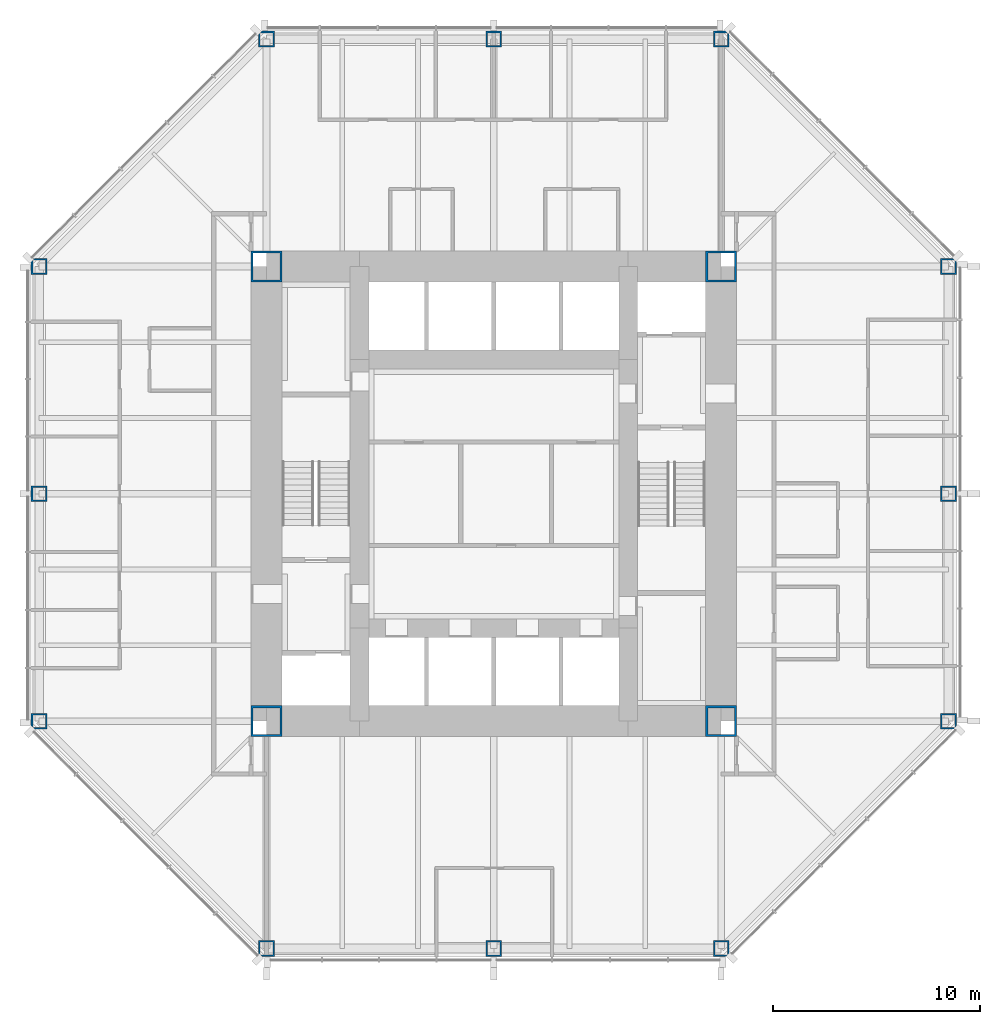
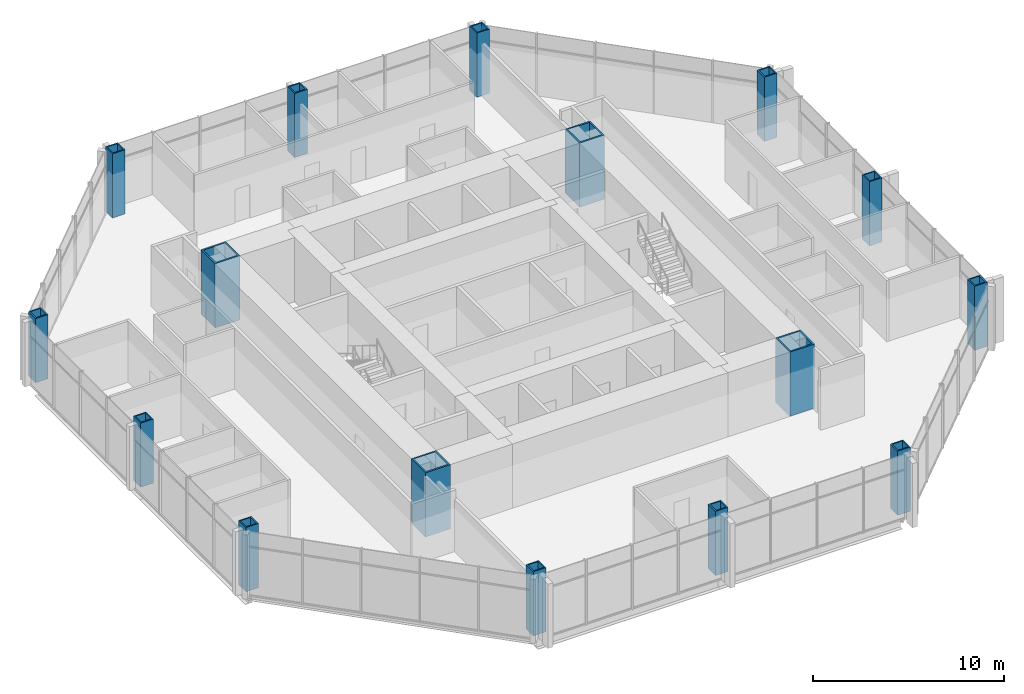
# One storey, part 1 of 12: 16 columns.
"""IFC4 building model written with IfcOpenShell, lengths in metres."""

import ifcopenshell
import ifcopenshell.guid

model = None  # the IFC model being written
_history = None  # IfcOwnerHistory: only IFC2X3 demands one
_inside = {}  # id of a spatial element -> (the spatial element, [elements in it])
_under = {}  # id of a project, library or spatial element -> (it, [spatial elements below it])
_declared = {}  # id of a project -> (the project, [libraries it declares])
_typed = {}  # id of a type object -> (the type object, [elements of that type])
_made_of = {}  # id of a material, layer set ... -> (it, [elements and type objects made of it])


def new_model(schema):
    """Start an empty IFC model of exactly this schema.

    Asked for "IFC4X3", IfcOpenShell would pick the latest addendum, in which some entities
    have other attributes; the version numbers below select the first issue.
    IFC2X3 requires an IfcOwnerHistory on every rooted entity: one is made here for all.
    """
    global model, _history
    if schema == "IFC4X3":
        model = ifcopenshell.file(schema_version=(4, 3, 0, 0))
    else:
        model = ifcopenshell.file(schema=schema)
    _inside.clear()
    _under.clear()
    _declared.clear()
    _typed.clear()
    _made_of.clear()
    _history = None
    if model.schema == "IFC2X3":
        org = make("IfcOrganization", Name="unknown")
        user = make(
            "IfcPersonAndOrganization",
            ThePerson=make("IfcPerson", FamilyName="unknown"),
            TheOrganization=org,
        )
        app = make(
            "IfcApplication",
            ApplicationDeveloper=org,
            Version="unknown",
            ApplicationFullName="unknown",
            ApplicationIdentifier="unknown",
        )
        _history = make(
            "IfcOwnerHistory",
            OwningUser=user,
            OwningApplication=app,
            ChangeAction="ADDED",
            CreationDate=0,
        )
    return model


def make(cls, **values):
    """One entity of the class cls with the attributes given. An attribute that is None is left unset."""
    return model.create_entity(
        cls, **{name: value for name, value in values.items() if value is not None}
    )


def rooted(cls, **values):
    """An entity with a GlobalId (a new one), such as an element, a storey or a relation."""
    return make(cls, GlobalId=ifcopenshell.guid.new(), OwnerHistory=_history, **values)


def si_unit(unit_type, name, prefix=None):
    """IfcSIUnit, for example si_unit("LENGTHUNIT", "METRE", prefix="MILLI")."""
    return make("IfcSIUnit", UnitType=unit_type, Prefix=prefix, Name=name)


def assignment(units):
    """IfcUnitAssignment: the units of a project."""
    return None if units is None else make("IfcUnitAssignment", Units=units)


def point(xyz):
    """IfcCartesianPoint."""
    return None if xyz is None else make("IfcCartesianPoint", Coordinates=xyz)


def direction(xyz):
    """IfcDirection."""
    return None if xyz is None else make("IfcDirection", DirectionRatios=xyz)


def frame(location, z_axis=None, x_axis=None):
    """IfcAxis2Placement3D, a coordinate frame: its origin and axes. An axis left out is left unset."""
    return make(
        "IfcAxis2Placement3D",
        Location=point(location),
        Axis=direction(z_axis),
        RefDirection=direction(x_axis),
    )


def frame_2d(location, x_axis=None):
    """IfcAxis2Placement2D, a coordinate frame in the plane: its origin and x axis."""
    return make(
        "IfcAxis2Placement2D", Location=point(location), RefDirection=direction(x_axis)
    )


def origin():
    """The frame at (0, 0, 0) with its axes left unset."""
    return frame((0.0, 0.0, 0.0))


def origin_2d():
    """The frame at (0, 0) in the plane with its x axis left unset."""
    return frame_2d((0.0, 0.0))


def place(relative_to, where):
    """IfcLocalPlacement: puts the frame where relative to a parent placement (None: the world)."""
    return make(
        "IfcLocalPlacement", PlacementRelTo=relative_to, RelativePlacement=where
    )


def context(
    kind, dimensions, precision=None, world=None, true_north=None, identifier=None
):
    """IfcGeometricRepresentationContext, for example the 3D "Model" context."""
    return make(
        "IfcGeometricRepresentationContext",
        ContextIdentifier=identifier,
        ContextType=kind,
        CoordinateSpaceDimension=dimensions,
        Precision=precision,
        WorldCoordinateSystem=world,
        TrueNorth=true_north,
    )


def subcontext(parent, identifier, kind, view, scale=None):
    """IfcGeometricRepresentationSubContext, for example "Body" below "Model"."""
    return make(
        "IfcGeometricRepresentationSubContext",
        ContextIdentifier=identifier,
        ContextType=kind,
        ParentContext=parent,
        TargetScale=scale,
        TargetView=view,
    )


def project(units=None, contexts=None):
    """IfcProject with its units and contexts."""
    return rooted(
        "IfcProject",
        Name="project",
        RepresentationContexts=contexts,
        UnitsInContext=assignment(units),
    )


def spatial(cls, under=None, at=None, **own):
    """A site, building, storey or space (cls), placed at a placement, below another one or the project."""
    s = rooted(cls, ObjectPlacement=at, **own)
    if under is not None:
        _under.setdefault(under.id(), (under, []))[1].append(s)
    return s


def profile(cls, at=None, kind="AREA", **sizes):
    """A parametric profile (cls). Its sizes go by their IFC names, for example OverallWidth=200.0."""
    return make(cls, ProfileType=kind, Position=at, **sizes)


def hollow_rectangle(**sizes):
    """IfcRectangleHollowProfileDef."""
    return profile("IfcRectangleHollowProfileDef", **sizes)


def extrude(swept, where, along, depth):
    """IfcExtrudedAreaSolid: the profile swept, set in the frame where, extruded along a direction by depth."""
    return make(
        "IfcExtrudedAreaSolid",
        SweptArea=swept,
        Position=where,
        ExtrudedDirection=direction(along),
        Depth=depth,
    )


def shape(context_of_items, identifier, shape_type, items):
    """IfcShapeRepresentation: the items that make up one representation, for example the "Body"."""
    return make(
        "IfcShapeRepresentation",
        ContextOfItems=context_of_items,
        RepresentationIdentifier=identifier,
        RepresentationType=shape_type,
        Items=items,
    )


def material(Name=None, Category=None):
    """IfcMaterial."""
    return make("IfcMaterial", Name=Name, Category=Category)


def material_profile(
    of_material, cross_section, Name=None, Category=None, Priority=None
):
    """IfcMaterialProfile: a cross section and its material."""
    return make(
        "IfcMaterialProfile",
        Name=Name,
        Material=of_material,
        Profile=cross_section,
        Priority=Priority,
        Category=Category,
    )


def profile_set(profiles, Name=None, composite=None):
    """IfcMaterialProfileSet."""
    return make(
        "IfcMaterialProfileSet",
        Name=Name,
        MaterialProfiles=profiles,
        CompositeProfile=composite,
    )


def made_of(thing, what):
    """Note that an element or type object is made of a material, layer set ...; save() writes the relation."""
    if what is not None:
        _made_of.setdefault(what.id(), (what, []))[1].append(thing)
    return thing


def type_object(cls, material=None, **own):
    """A type object (cls), such as IfcWallType, which elements share."""
    return made_of(rooted(cls, **own), material)


def element(
    cls,
    number,
    at=None,
    inside=None,
    cuts=None,
    type_object=None,
    material=None,
    context=None,
    identifier="Body",
    shape_type=None,
    held_by="IfcProductDefinitionShape",
    body=None,
    shapes=None,
    **own,
):
    """One element of the class cls, such as IfcWall. Its Tag is "e" and its number.

    at: its placement. inside: the storey or other place that contains it. cuts: it is an
    opening in that element (IfcRelVoidsElement). A single representation is given by context,
    identifier, shape_type and body (its items); several are given by shapes. held_by: the class
    of the entity that holds the representations. save() writes the other relations.
    """
    e = rooted(cls, Tag="e%d" % number, ObjectPlacement=at, **own)
    if body is not None:
        shapes = [shape(context, identifier, shape_type, body)]
    if shapes is not None:
        e.Representation = make(held_by, Representations=shapes)
    if inside is not None:
        _inside.setdefault(inside.id(), (inside, []))[1].append(e)
    if cuts is not None:
        rooted(
            "IfcRelVoidsElement", RelatingBuildingElement=cuts, RelatedOpeningElement=e
        )
    if type_object is not None:
        _typed.setdefault(type_object.id(), (type_object, []))[1].append(e)
    return made_of(e, material)


def aggregate(whole, parts):
    """IfcRelAggregates: a whole, such as a stair, and the parts it consists of."""
    return rooted("IfcRelAggregates", RelatingObject=whole, RelatedObjects=parts)


def save(model, path):
    """Write the relations noted so far, then the file.

    IfcRelAggregates (storeys below a building ...), IfcRelContainedInSpatialStructure (elements
    in a storey), IfcRelDefinesByType, IfcRelAssociatesMaterial and IfcRelDeclares: one each for
    every whole, place, type object, material and project.
    """
    for whole, parts in _under.values():
        aggregate(whole, parts)
    for where, things in _inside.values():
        rooted(
            "IfcRelContainedInSpatialStructure",
            RelatedElements=things,
            RelatingStructure=where,
        )
    for kind, things in _typed.values():
        rooted("IfcRelDefinesByType", RelatedObjects=things, RelatingType=kind)
    for what, things in _made_of.values():
        rooted("IfcRelAssociatesMaterial", RelatedObjects=things, RelatingMaterial=what)
    for by, libraries in _declared.values():
        rooted("IfcRelDeclares", RelatingContext=by, RelatedDefinitions=libraries)
    model.write(path)


model = new_model("IFC4")

# Units and contexts
model_context = context("Model", 3, precision=1e-05, world=origin(), true_north=direction((0.0, 1.0)))
body_context = subcontext(model_context, "Body", "Model", "MODEL_VIEW")
ifc_project = project(units=[si_unit("LENGTHUNIT", "METRE"), si_unit("AREAUNIT", "SQUARE_METRE"), si_unit("VOLUMEUNIT", "CUBIC_METRE"), si_unit("PLANEANGLEUNIT", "RADIAN"), si_unit("MASSUNIT", "GRAM", prefix="KILO")], contexts=[model_context])

# Site, building, storey
site_placement = place(None, origin())
site = spatial("IfcSite", under=ifc_project, at=site_placement, CompositionType="ELEMENT")
building_placement = place(site_placement, origin())
building = spatial("IfcBuilding", under=site, at=building_placement, Name="Trevanion Tower", CompositionType="ELEMENT")
storey_placement = place(building_placement, frame((0.0, 0.0, 129.5)))
storey = spatial("IfcBuildingStorey", under=building, at=storey_placement, Name="L30", CompositionType="ELEMENT", Elevation=129.5)

# Columns
ifc_material_1 = material(Name="Steel ASTM A572 Grade 50", Category="steel")
ifc_material_profile_1 = material_profile(ifc_material_1, hollow_rectangle(XDim=0.761962890625, YDim=0.761962890625, WallThickness=0.076171875, at=origin_2d()), Name="BOX30X30X3")
ifc_profile_set_1 = profile_set([ifc_material_profile_1], Name="Steel ASTM A572 Grade 50")
column_type_1 = type_object("IfcColumnType", Name="C4 BOX30X30X3", PredefinedType="COLUMN", material=ifc_profile_set_1)
for number, where, z_axis, x_axis, name in (
    (1, (-22.0, 0.0, 0.0), (0.0, 0.0, 1.0), (0.0, 1.0, 0.0), "C4 4/H L30"),
    (2, (-22.0, -11.0, 0.0), (0.0, 0.0, 1.0), (0.0, 1.0, 0.0), "C4 4/F L30"),
    (3, (-11.0, -22.0, 0.0), (0.0, 0.0, 1.0), (1.0, 0.0, 0.0), "C4 8/B L30"),
    (4, (0.0, -22.0, 0.0), (0.0, 0.0, 1.0), (1.0, 0.0, 0.0), "C4 10/B L30"),
    (5, (11.0, -22.0, 0.0), (0.0, 0.0, 1.0), (1.0, 0.0, 0.0), "C4 12/B L30"),
    (6, (22.0, -11.0, 0.0), (0.0, 0.0, 1.0), (0.0, 1.0, 0.0), "C4 16/F L30"),
    (7, (22.0, 0.0, 0.0), (0.0, 0.0, 1.0), (0.0, 1.0, 0.0), "C4 16/H L30"),
    (8, (22.0, 11.0, 0.0), (0.0, 0.0, 1.0), (0.0, 1.0, 0.0), "C4 16/K L30"),
    (9, (11.0, 22.0, 0.0), (0.0, 0.0, 1.0), (1.0, 0.0, 0.0), "C4 12/P L30"),
    (10, (0.0, 22.0, 0.0), (0.0, 0.0, 1.0), (1.0, 0.0, 0.0), "C4 10/P L30"),
    (11, (-11.0, 22.0, 0.0), (0.0, 0.0, 1.0), (1.0, 0.0, 0.0), "C4 8/P L30"),
    (12, (-22.0, 11.0, 0.0), (0.0, 0.0, 1.0), (0.0, 1.0, 0.0), "C4 4/K L30"),
):
    element("IfcColumn", number, at=place(storey_placement, frame(where, z_axis=z_axis, x_axis=x_axis)), inside=storey, type_object=column_type_1, Name=name, PredefinedType="COLUMN", context=body_context, shape_type="SweptSolid", body=[
        extrude(hollow_rectangle(XDim=0.761962890625, YDim=0.761962890625, WallThickness=0.076171875, at=origin_2d()), origin(), (0.0, 0.0, 1.0), 4.10009765625),
    ])
ifc_material_2 = material(Name="Steel ASTM A572 Grade 50", Category="steel")
ifc_material_profile_2 = material_profile(ifc_material_2, hollow_rectangle(XDim=1.49853515625, YDim=1.49853515625, WallThickness=0.1015625, at=origin_2d()), Name="BOX59X59X4")
ifc_profile_set_2 = profile_set([ifc_material_profile_2], Name="Steel ASTM A572 Grade 50")
column_type_2 = type_object("IfcColumnType", Name="CB1 BOX59X59X4", PredefinedType="COLUMN", material=ifc_profile_set_2)
for number, where, z_axis, x_axis, name in (
    (13, (11.0, 11.0, 0.0), (0.0, 0.0, 1.0), (1.0, 0.0, 0.0), "CB1 NE L30"),
    (14, (-11.0, 11.0, 0.0), (0.0, 0.0, 1.0), (1.0, 0.0, 0.0), "CB1 NW L30"),
    (15, (-11.0, -11.0, 0.0), (0.0, 0.0, 1.0), (1.0, 0.0, 0.0), "CB1 SW L30"),
    (16, (11.0, -11.0, 0.0), (0.0, 0.0, 1.0), (1.0, 0.0, 0.0), "CB1 SE L30"),
):
    element("IfcColumn", number, at=place(storey_placement, frame(where, z_axis=z_axis, x_axis=x_axis)), inside=storey, type_object=column_type_2, Name=name, PredefinedType="COLUMN", context=body_context, shape_type="SweptSolid", body=[
        extrude(hollow_rectangle(XDim=1.49853515625, YDim=1.49853515625, WallThickness=0.1015625, at=origin_2d()), origin(), (0.0, 0.0, 1.0), 4.10009765625),
    ])

save(model, "model.ifc")
